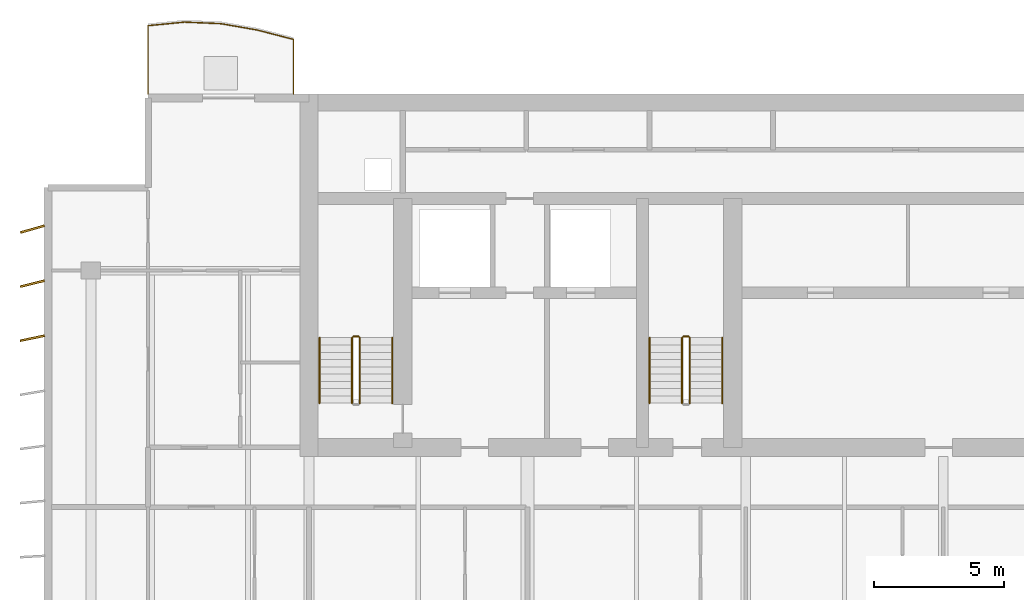
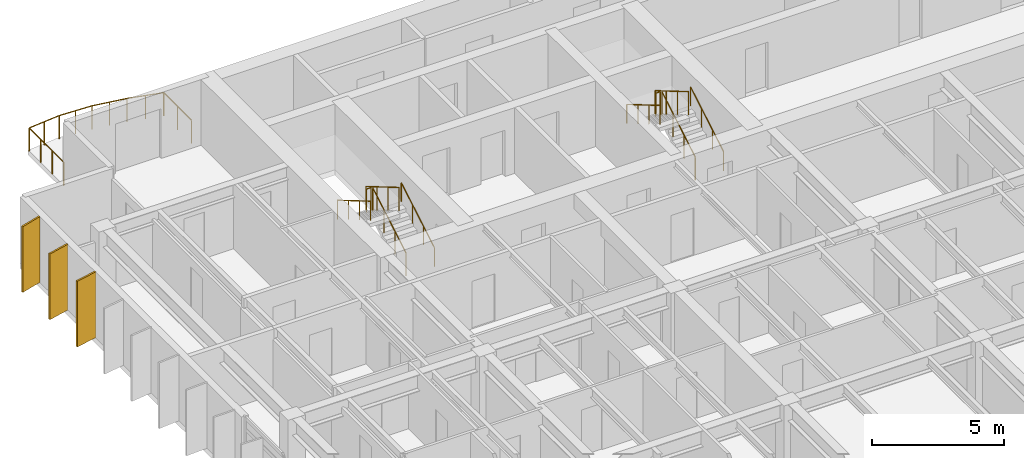
# One storey, part 15 of 16: 11 railings, 3 shading devices.
"""IFC4 building model written with IfcOpenShell, lengths in metres."""

from ifc_helpers import new_model, si_unit, direction, frame, origin, origin_2d, place, context, subcontext, project, spatial, rectangle, circle, extrude, material, material_profile, profile_set, type_object, element, save


model = new_model("IFC4")

# Units and contexts
model_context = context("Model", 3, precision=1e-05, world=origin(), true_north=direction((0.0, 1.0)))
body_context = subcontext(model_context, "Body", "Model", "MODEL_VIEW")
ifc_project = project(units=[si_unit("LENGTHUNIT", "METRE"), si_unit("AREAUNIT", "SQUARE_METRE"), si_unit("VOLUMEUNIT", "CUBIC_METRE"), si_unit("PLANEANGLEUNIT", "RADIAN"), si_unit("MASSUNIT", "GRAM", prefix="KILO")], contexts=[model_context])

# Site, building, storey
site_placement = place(None, origin())
site = spatial("IfcSite", under=ifc_project, at=site_placement, CompositionType="ELEMENT")
building_placement = place(site_placement, origin())
building = spatial("IfcBuilding", under=site, at=building_placement, Name="Caelmar Bay Residences", CompositionType="ELEMENT")
storey_placement = place(building_placement, frame((0.0, 0.0, 249.60009765625)))
storey = spatial("IfcBuildingStorey", under=building, at=storey_placement, Name="L70", CompositionType="ELEMENT", Elevation=249.60009765625)

# Railings
ifc_material_1 = material(Name="Anodised bronze handrail with laminated hurricane glass infill", Category="glass")
railing_type_1 = type_object("IfcRailingType", Name="RL-BAL-1100", PredefinedType="BALUSTRADE", material=ifc_material_1)
railing_1_placement = place(storey_placement, frame((17.699951171875, 50.60009765625, 0.0)))
element("IfcRailing", 1, at=railing_1_placement, inside=storey, type_object=railing_type_1, Name="L70 north_west Balcony Balustrade", PredefinedType="BALUSTRADE", context=body_context, shape_type="SweptSolid", body=[
    extrude(circle(Radius=0.02392578125, at=origin_2d()), frame((0.0, 0.0, 1.076171875), z_axis=(0.0, 1.0, 0.0), x_axis=(-1.0, 0.0, 0.0)), (0.0, 0.0, 1.0), 2.098388671875),
    extrude(circle(Radius=0.02392578125, at=origin_2d()), frame((0.0, 2.098388671875, 1.076171875), z_axis=(-0.968103147298, 0.250551983012, 0.0), x_axis=(-0.250551983012, -0.968103147298, 0.0)), (0.0, 0.0, 1.0), 1.446044921875),
    extrude(circle(Radius=0.02392578125, at=origin_2d()), frame((-1.39990234375, 2.460693359375, 1.076171875), z_axis=(-0.985106932591, 0.171942814215, 0.0), x_axis=(-0.171942814215, -0.985106932591, 0.0)), (0.0, 0.0, 1.0), 1.42138671875),
    extrude(circle(Radius=0.02392578125, at=origin_2d()), frame((-2.800048828125, 2.705078125, 1.076171875), z_axis=(-0.999058458158, 0.043384296491, 0.0), x_axis=(-0.043384296491, -0.999058458158, 0.0)), (0.0, 0.0, 1.0), 1.401123046875),
    extrude(circle(Radius=0.02392578125, at=origin_2d()), frame((-4.199951171875, 2.765869140625, 1.076171875), z_axis=(-0.99509543912, -0.098919497785, 0.0), x_axis=(0.098919497785, -0.99509543912, 0.0)), (0.0, 0.0, 1.0), 1.40673828125),
    extrude(circle(Radius=0.02392578125, at=origin_2d()), frame((-5.599853515625, 2.626708984375, 1.076171875), z_axis=(0.0, -1.0, 0.0), x_axis=(1.0, 0.0, 0.0)), (0.0, 0.0, 1.0), 2.626708984375),
    extrude(circle(Radius=0.02099609375, at=origin_2d()), origin(), (0.0, 0.0, 1.0), 1.052001953125),
    extrude(circle(Radius=0.02099609375, at=origin_2d()), frame((0.0, 1.04931640625, 0.0)), (0.0, 0.0, 1.0), 1.052001953125),
    extrude(circle(Radius=0.02099609375, at=origin_2d()), frame((0.0, 2.098388671875, 0.0)), (0.0, 0.0, 1.0), 1.052001953125),
    extrude(circle(Radius=0.02099609375, at=origin_2d()), frame((-0.699951171875, 2.279541015625, 0.0)), (0.0, 0.0, 1.0), 1.052001953125),
    extrude(circle(Radius=0.02099609375, at=origin_2d()), frame((-1.39990234375, 2.460693359375, 0.0)), (0.0, 0.0, 1.0), 1.052001953125),
    extrude(circle(Radius=0.02099609375, at=origin_2d()), frame((-2.10009765625, 2.5830078125, 0.0)), (0.0, 0.0, 1.0), 1.052001953125),
    extrude(circle(Radius=0.02099609375, at=origin_2d()), frame((-2.800048828125, 2.705078125, 0.0)), (0.0, 0.0, 1.0), 1.052001953125),
    extrude(circle(Radius=0.02099609375, at=origin_2d()), frame((-3.5, 2.7353515625, 0.0)), (0.0, 0.0, 1.0), 1.052001953125),
    extrude(circle(Radius=0.02099609375, at=origin_2d()), frame((-4.199951171875, 2.765869140625, 0.0)), (0.0, 0.0, 1.0), 1.052001953125),
    extrude(circle(Radius=0.02099609375, at=origin_2d()), frame((-4.89990234375, 2.6962890625, 0.0)), (0.0, 0.0, 1.0), 1.052001953125),
    extrude(circle(Radius=0.02099609375, at=origin_2d()), frame((-5.599853515625, 2.626708984375, 0.0)), (0.0, 0.0, 1.0), 1.052001953125),
    extrude(circle(Radius=0.02099609375, at=origin_2d()), frame((-5.599853515625, 1.751220703125, 0.0)), (0.0, 0.0, 1.0), 1.052001953125),
    extrude(circle(Radius=0.02099609375, at=origin_2d()), frame((-5.599853515625, 0.87548828125, 0.0)), (0.0, 0.0, 1.0), 1.052001953125),
    extrude(circle(Radius=0.02099609375, at=origin_2d()), frame((-5.599853515625, 0.0, 0.0)), (0.0, 0.0, 1.0), 1.052001953125),
])
ifc_material_2 = material(Name="Painted galvanized steel stair guard 1100 mm", Category="steel")
railing_type_2 = type_object("IfcRailingType", Name="RL-GRD-1100", PredefinedType="GUARDRAIL", material=ifc_material_2)
railing_2_placement = place(storey_placement, frame((20.25, 38.699951171875, 0.164794921875)))
element("IfcRailing", 2, at=railing_2_placement, inside=storey, type_object=railing_type_2, Name="L70 ST1 stair guard 1", PredefinedType="GUARDRAIL", context=body_context, shape_type="SweptSolid", body=[
    extrude(circle(Radius=0.02392578125, at=origin_2d()), frame((0.0, 0.0, 1.076171875), z_axis=(0.0, 0.86152411907, 0.507716645641), x_axis=(-1.0, 0.0, 0.0)), (0.0, 0.0, 1.0), 2.925048828125),
    extrude(circle(Radius=0.02099609375, at=origin_2d()), origin(), (0.0, 0.0, 1.0), 1.052001953125),
    extrude(circle(Radius=0.02099609375, at=origin_2d()), frame((0.0, 0.840087890625, 0.4951171875)), (0.0, 0.0, 1.0), 1.052001953125),
    extrude(circle(Radius=0.02099609375, at=origin_2d()), frame((0.0, 1.679931640625, 0.989990234375)), (0.0, 0.0, 1.0), 1.052001953125),
    extrude(circle(Radius=0.02099609375, at=origin_2d()), frame((0.0, 2.52001953125, 1.485107421875)), (0.0, 0.0, 1.0), 1.052001953125),
])
railing_3_placement = place(storey_placement, frame((20.199951171875, 41.27001953125, 1.64990234375)))
element("IfcRailing", 3, at=railing_3_placement, inside=storey, type_object=railing_type_2, Name="L70 ST1 stair guard 2", PredefinedType="GUARDRAIL", context=body_context, shape_type="SweptSolid", body=[
    extrude(circle(Radius=0.02392578125, at=origin_2d()), frame((0.0, 0.0, 1.076171875), z_axis=(-1.0, 0.0, 0.0), x_axis=(0.0, -1.0, 0.0)), (0.0, 0.0, 1.0), 0.199951171875),
    extrude(circle(Radius=0.02099609375, at=origin_2d()), origin(), (0.0, 0.0, 1.0), 1.052001953125),
    extrude(circle(Radius=0.02099609375, at=origin_2d()), frame((-0.199951171875, 0.0, 0.0)), (0.0, 0.0, 1.0), 1.052001953125),
])
railing_4_placement = place(storey_placement, frame((19.949951171875, 41.219970703125, 1.81494140625)))
element("IfcRailing", 4, at=railing_4_placement, inside=storey, type_object=railing_type_2, Name="L70 ST1 stair guard 3", PredefinedType="GUARDRAIL", context=body_context, shape_type="SweptSolid", body=[
    extrude(circle(Radius=0.02392578125, at=origin_2d()), frame((0.0, 0.0, 1.076171875), z_axis=(0.0, -0.861560626758, 0.507654692109), x_axis=(1.0, 0.0, 0.0)), (0.0, 0.0, 1.0), 2.925048828125),
    extrude(circle(Radius=0.02099609375, at=origin_2d()), origin(), (0.0, 0.0, 1.0), 1.052001953125),
    extrude(circle(Radius=0.02099609375, at=origin_2d()), frame((0.0, -0.840087890625, 0.494873046875)), (0.0, 0.0, 1.0), 1.052001953125),
    extrude(circle(Radius=0.02099609375, at=origin_2d()), frame((0.0, -1.679931640625, 0.989990234375)), (0.0, 0.0, 1.0), 1.052001953125),
    extrude(circle(Radius=0.02099609375, at=origin_2d()), frame((0.0, -2.52001953125, 1.48486328125)), (0.0, 0.0, 1.0), 1.052001953125),
])
railing_5_placement = place(storey_placement, frame((32.949951171875, 38.699951171875, 0.164794921875)))
element("IfcRailing", 5, at=railing_5_placement, inside=storey, type_object=railing_type_2, Name="L70 ST3 stair guard 1", PredefinedType="GUARDRAIL", context=body_context, shape_type="SweptSolid", body=[
    extrude(circle(Radius=0.02392578125, at=origin_2d()), frame((0.0, 0.0, 1.076171875), z_axis=(0.0, 0.86152411907, 0.507716645641), x_axis=(-1.0, 0.0, 0.0)), (0.0, 0.0, 1.0), 2.925048828125),
    extrude(circle(Radius=0.02099609375, at=origin_2d()), origin(), (0.0, 0.0, 1.0), 1.052001953125),
    extrude(circle(Radius=0.02099609375, at=origin_2d()), frame((0.0, 0.840087890625, 0.4951171875)), (0.0, 0.0, 1.0), 1.052001953125),
    extrude(circle(Radius=0.02099609375, at=origin_2d()), frame((0.0, 1.679931640625, 0.989990234375)), (0.0, 0.0, 1.0), 1.052001953125),
    extrude(circle(Radius=0.02099609375, at=origin_2d()), frame((0.0, 2.52001953125, 1.485107421875)), (0.0, 0.0, 1.0), 1.052001953125),
])
railing_6_placement = place(storey_placement, frame((32.89990234375, 41.27001953125, 1.64990234375)))
element("IfcRailing", 6, at=railing_6_placement, inside=storey, type_object=railing_type_2, Name="L70 ST3 stair guard 2", PredefinedType="GUARDRAIL", context=body_context, shape_type="SweptSolid", body=[
    extrude(circle(Radius=0.02392578125, at=origin_2d()), frame((0.0, 0.0, 1.076171875), z_axis=(-1.0, 0.0, 0.0), x_axis=(0.0, -1.0, 0.0)), (0.0, 0.0, 1.0), 0.199951171875),
    extrude(circle(Radius=0.02099609375, at=origin_2d()), origin(), (0.0, 0.0, 1.0), 1.052001953125),
    extrude(circle(Radius=0.02099609375, at=origin_2d()), frame((-0.199951171875, 0.0, 0.0)), (0.0, 0.0, 1.0), 1.052001953125),
])
railing_7_placement = place(storey_placement, frame((32.64990234375, 41.219970703125, 1.81494140625)))
element("IfcRailing", 7, at=railing_7_placement, inside=storey, type_object=railing_type_2, Name="L70 ST3 stair guard 3", PredefinedType="GUARDRAIL", context=body_context, shape_type="SweptSolid", body=[
    extrude(circle(Radius=0.02392578125, at=origin_2d()), frame((0.0, 0.0, 1.076171875), z_axis=(0.0, -0.861560626758, 0.507654692109), x_axis=(1.0, 0.0, 0.0)), (0.0, 0.0, 1.0), 2.925048828125),
    extrude(circle(Radius=0.02099609375, at=origin_2d()), origin(), (0.0, 0.0, 1.0), 1.052001953125),
    extrude(circle(Radius=0.02099609375, at=origin_2d()), frame((0.0, -0.840087890625, 0.494873046875)), (0.0, 0.0, 1.0), 1.052001953125),
    extrude(circle(Radius=0.02099609375, at=origin_2d()), frame((0.0, -1.679931640625, 0.989990234375)), (0.0, 0.0, 1.0), 1.052001953125),
    extrude(circle(Radius=0.02099609375, at=origin_2d()), frame((0.0, -2.52001953125, 1.48486328125)), (0.0, 0.0, 1.0), 1.052001953125),
])
ifc_material_3 = material(Name="Brushed bronze stainless-steel tubular handrail 900 mm", Category="steel")
railing_type_3 = type_object("IfcRailingType", Name="RL-HND-900", PredefinedType="HANDRAIL", material=ifc_material_3)
railing_8_placement = place(storey_placement, frame((21.5, 38.699951171875, 0.164794921875)))
element("IfcRailing", 8, at=railing_8_placement, inside=storey, type_object=railing_type_3, Name="L70 ST1 stair handrail 1", PredefinedType="HANDRAIL", context=body_context, shape_type="SweptSolid", body=[
    extrude(circle(Radius=0.02392578125, at=origin_2d()), frame((0.0, 0.0, 0.8759765625), z_axis=(0.0, 0.86152411907, 0.507716645641), x_axis=(-1.0, 0.0, 0.0)), (0.0, 0.0, 1.0), 2.925048828125),
    extrude(circle(Radius=0.02099609375, at=origin_2d()), origin(), (0.0, 0.0, 1.0), 0.851806640625),
    extrude(circle(Radius=0.02099609375, at=origin_2d()), frame((0.0, 0.840087890625, 0.4951171875)), (0.0, 0.0, 1.0), 0.851806640625),
    extrude(circle(Radius=0.02099609375, at=origin_2d()), frame((0.0, 1.679931640625, 0.989990234375)), (0.0, 0.0, 1.0), 0.851806640625),
    extrude(circle(Radius=0.02099609375, at=origin_2d()), frame((0.0, 2.52001953125, 1.485107421875)), (0.0, 0.0, 1.0), 0.851806640625),
])
railing_9_placement = place(storey_placement, frame((18.699951171875, 41.219970703125, 1.81494140625)))
element("IfcRailing", 9, at=railing_9_placement, inside=storey, type_object=railing_type_3, Name="L70 ST1 stair handrail 2", PredefinedType="HANDRAIL", context=body_context, shape_type="SweptSolid", body=[
    extrude(circle(Radius=0.02392578125, at=origin_2d()), frame((0.0, 0.0, 0.8759765625), z_axis=(0.0, -0.861560626758, 0.507654692109), x_axis=(1.0, 0.0, 0.0)), (0.0, 0.0, 1.0), 2.925048828125),
    extrude(circle(Radius=0.02099609375, at=origin_2d()), origin(), (0.0, 0.0, 1.0), 0.851806640625),
    extrude(circle(Radius=0.02099609375, at=origin_2d()), frame((0.0, -0.840087890625, 0.494873046875)), (0.0, 0.0, 1.0), 0.851806640625),
    extrude(circle(Radius=0.02099609375, at=origin_2d()), frame((0.0, -1.679931640625, 0.989990234375)), (0.0, 0.0, 1.0), 0.851806640625),
    extrude(circle(Radius=0.02099609375, at=origin_2d()), frame((0.0, -2.52001953125, 1.48486328125)), (0.0, 0.0, 1.0), 0.851806640625),
])
railing_10_placement = place(storey_placement, frame((34.199951171875, 38.699951171875, 0.164794921875)))
element("IfcRailing", 10, at=railing_10_placement, inside=storey, type_object=railing_type_3, Name="L70 ST3 stair handrail 1", PredefinedType="HANDRAIL", context=body_context, shape_type="SweptSolid", body=[
    extrude(circle(Radius=0.02392578125, at=origin_2d()), frame((0.0, 0.0, 0.8759765625), z_axis=(0.0, 0.86152411907, 0.507716645641), x_axis=(-1.0, 0.0, 0.0)), (0.0, 0.0, 1.0), 2.925048828125),
    extrude(circle(Radius=0.02099609375, at=origin_2d()), origin(), (0.0, 0.0, 1.0), 0.851806640625),
    extrude(circle(Radius=0.02099609375, at=origin_2d()), frame((0.0, 0.840087890625, 0.4951171875)), (0.0, 0.0, 1.0), 0.851806640625),
    extrude(circle(Radius=0.02099609375, at=origin_2d()), frame((0.0, 1.679931640625, 0.989990234375)), (0.0, 0.0, 1.0), 0.851806640625),
    extrude(circle(Radius=0.02099609375, at=origin_2d()), frame((0.0, 2.52001953125, 1.485107421875)), (0.0, 0.0, 1.0), 0.851806640625),
])
railing_11_placement = place(storey_placement, frame((31.39990234375, 41.219970703125, 1.81494140625)))
element("IfcRailing", 11, at=railing_11_placement, inside=storey, type_object=railing_type_3, Name="L70 ST3 stair handrail 2", PredefinedType="HANDRAIL", context=body_context, shape_type="SweptSolid", body=[
    extrude(circle(Radius=0.02392578125, at=origin_2d()), frame((0.0, 0.0, 0.8759765625), z_axis=(0.0, -0.861560626758, 0.507654692109), x_axis=(1.0, 0.0, 0.0)), (0.0, 0.0, 1.0), 2.925048828125),
    extrude(circle(Radius=0.02099609375, at=origin_2d()), origin(), (0.0, 0.0, 1.0), 0.851806640625),
    extrude(circle(Radius=0.02099609375, at=origin_2d()), frame((0.0, -0.840087890625, 0.494873046875)), (0.0, 0.0, 1.0), 0.851806640625),
    extrude(circle(Radius=0.02099609375, at=origin_2d()), frame((0.0, -1.679931640625, 0.989990234375)), (0.0, 0.0, 1.0), 0.851806640625),
    extrude(circle(Radius=0.02099609375, at=origin_2d()), frame((0.0, -2.52001953125, 1.48486328125)), (0.0, 0.0, 1.0), 0.851806640625),
])

# Shading devices
ifc_material_4 = material(Name="Anodised architectural bronze aluminium 6063-T6", Category="aluminium")
ifc_material_profile = material_profile(ifc_material_4, rectangle(XDim=0.074951171875, YDim=0.949951171875, at=origin_2d()), Name="BRONZE-FIN-75X950")
ifc_profile_set = profile_set([ifc_material_profile], Name="Anodised architectural bronze aluminium 6063-T6")
shading_device_type = type_object("IfcShadingDeviceType", Name="SHD-FIN-950", PredefinedType="USERDEFINED", material=ifc_profile_set)
for number, where, z_axis, x_axis, name in (
    (12, (7.64990234375, 41.199951171875, 0.0), (0.0, 0.0, 1.0), (-0.2032999874, 0.979116497217, 0.0), "L70 West Bronze Solar Fin 14"),
    (13, (7.64990234375, 43.300048828125, 0.0), (0.0, 0.0, 1.0), (-0.239719743609, 0.970842131618, 0.0), "L70 West Bronze Solar Fin 15"),
    (14, (7.64990234375, 45.39990234375, 0.0), (0.0, 0.0, 1.0), (-0.275637355817, 0.961261695938, 0.0), "L70 West Bronze Solar Fin 16"),
):
    element("IfcShadingDevice", number, at=place(storey_placement, frame(where, z_axis=z_axis, x_axis=x_axis)), inside=storey, type_object=shading_device_type, Name=name, ObjectType="FIN", PredefinedType="USERDEFINED", context=body_context, shape_type="SweptSolid", body=[
        extrude(rectangle(XDim=0.074951171875, YDim=0.949951171875, at=origin_2d()), origin(), (0.0, 0.0, 1.0), 3.0498046875),
    ])

save(model, "model.ifc")
